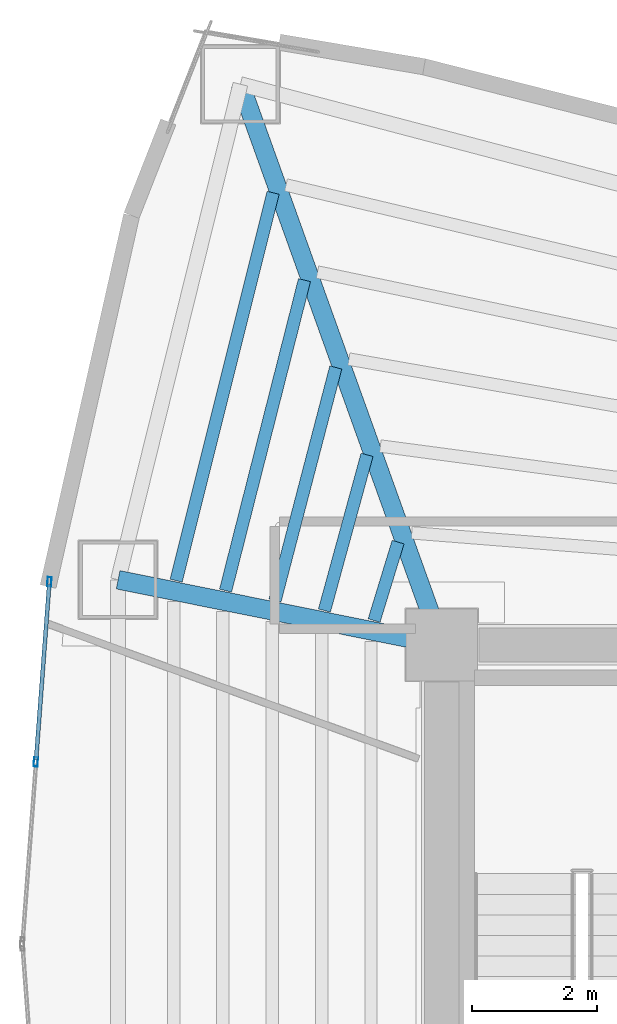
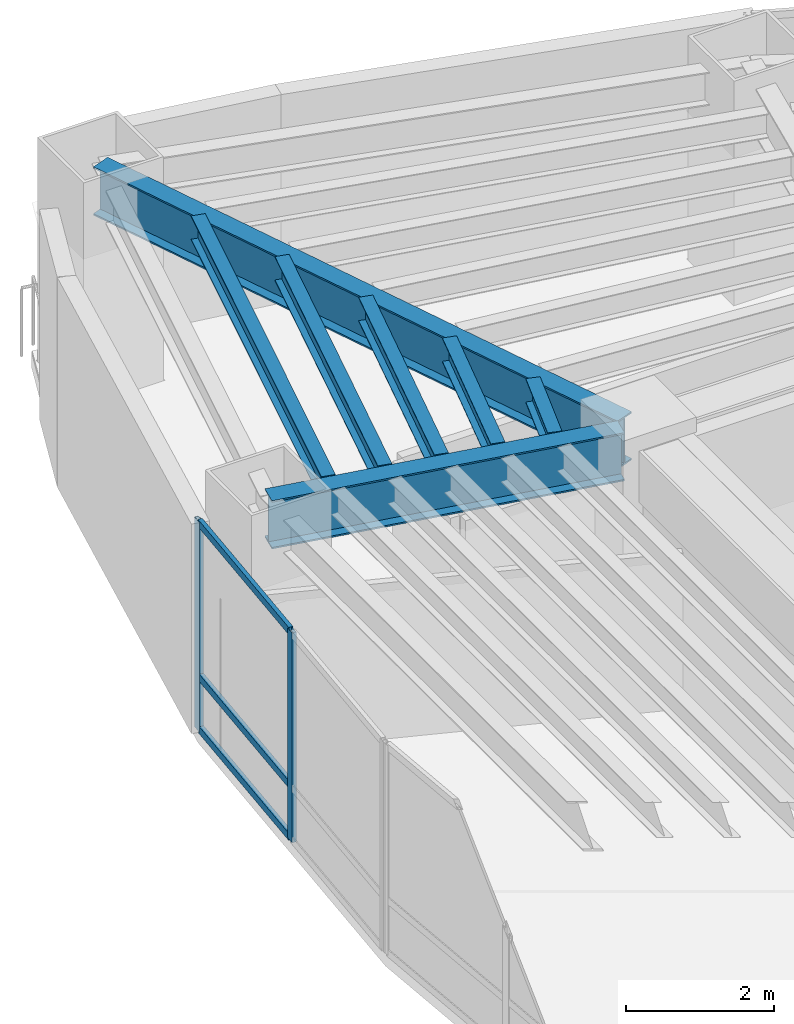
# One storey, part 7 of 19: 7 beams, 5 members, 1 element without a shape of its own.
"""IFC4 building model written with IfcOpenShell, lengths in metres."""

import ifcopenshell
import ifcopenshell.guid

model = None  # the IFC model being written
_history = None  # IfcOwnerHistory: only IFC2X3 demands one
_inside = {}  # id of a spatial element -> (the spatial element, [elements in it])
_under = {}  # id of a project, library or spatial element -> (it, [spatial elements below it])
_declared = {}  # id of a project -> (the project, [libraries it declares])
_typed = {}  # id of a type object -> (the type object, [elements of that type])
_made_of = {}  # id of a material, layer set ... -> (it, [elements and type objects made of it])


def new_model(schema):
    """Start an empty IFC model of exactly this schema.

    Asked for "IFC4X3", IfcOpenShell would pick the latest addendum, in which some entities
    have other attributes; the version numbers below select the first issue.
    IFC2X3 requires an IfcOwnerHistory on every rooted entity: one is made here for all.
    """
    global model, _history
    if schema == "IFC4X3":
        model = ifcopenshell.file(schema_version=(4, 3, 0, 0))
    else:
        model = ifcopenshell.file(schema=schema)
    _inside.clear()
    _under.clear()
    _declared.clear()
    _typed.clear()
    _made_of.clear()
    _history = None
    if model.schema == "IFC2X3":
        org = make("IfcOrganization", Name="unknown")
        user = make(
            "IfcPersonAndOrganization",
            ThePerson=make("IfcPerson", FamilyName="unknown"),
            TheOrganization=org,
        )
        app = make(
            "IfcApplication",
            ApplicationDeveloper=org,
            Version="unknown",
            ApplicationFullName="unknown",
            ApplicationIdentifier="unknown",
        )
        _history = make(
            "IfcOwnerHistory",
            OwningUser=user,
            OwningApplication=app,
            ChangeAction="ADDED",
            CreationDate=0,
        )
    return model


def make(cls, **values):
    """One entity of the class cls with the attributes given. An attribute that is None is left unset."""
    return model.create_entity(
        cls, **{name: value for name, value in values.items() if value is not None}
    )


def rooted(cls, **values):
    """An entity with a GlobalId (a new one), such as an element, a storey or a relation."""
    return make(cls, GlobalId=ifcopenshell.guid.new(), OwnerHistory=_history, **values)


def si_unit(unit_type, name, prefix=None):
    """IfcSIUnit, for example si_unit("LENGTHUNIT", "METRE", prefix="MILLI")."""
    return make("IfcSIUnit", UnitType=unit_type, Prefix=prefix, Name=name)


def assignment(units):
    """IfcUnitAssignment: the units of a project."""
    return None if units is None else make("IfcUnitAssignment", Units=units)


def point(xyz):
    """IfcCartesianPoint."""
    return None if xyz is None else make("IfcCartesianPoint", Coordinates=xyz)


def direction(xyz):
    """IfcDirection."""
    return None if xyz is None else make("IfcDirection", DirectionRatios=xyz)


def frame(location, z_axis=None, x_axis=None):
    """IfcAxis2Placement3D, a coordinate frame: its origin and axes. An axis left out is left unset."""
    return make(
        "IfcAxis2Placement3D",
        Location=point(location),
        Axis=direction(z_axis),
        RefDirection=direction(x_axis),
    )


def frame_2d(location, x_axis=None):
    """IfcAxis2Placement2D, a coordinate frame in the plane: its origin and x axis."""
    return make(
        "IfcAxis2Placement2D", Location=point(location), RefDirection=direction(x_axis)
    )


def origin():
    """The frame at (0, 0, 0) with its axes left unset."""
    return frame((0.0, 0.0, 0.0))


def origin_2d():
    """The frame at (0, 0) in the plane with its x axis left unset."""
    return frame_2d((0.0, 0.0))


def place(relative_to, where):
    """IfcLocalPlacement: puts the frame where relative to a parent placement (None: the world)."""
    return make(
        "IfcLocalPlacement", PlacementRelTo=relative_to, RelativePlacement=where
    )


def context(
    kind, dimensions, precision=None, world=None, true_north=None, identifier=None
):
    """IfcGeometricRepresentationContext, for example the 3D "Model" context."""
    return make(
        "IfcGeometricRepresentationContext",
        ContextIdentifier=identifier,
        ContextType=kind,
        CoordinateSpaceDimension=dimensions,
        Precision=precision,
        WorldCoordinateSystem=world,
        TrueNorth=true_north,
    )


def subcontext(parent, identifier, kind, view, scale=None):
    """IfcGeometricRepresentationSubContext, for example "Body" below "Model"."""
    return make(
        "IfcGeometricRepresentationSubContext",
        ContextIdentifier=identifier,
        ContextType=kind,
        ParentContext=parent,
        TargetScale=scale,
        TargetView=view,
    )


def project(units=None, contexts=None):
    """IfcProject with its units and contexts."""
    return rooted(
        "IfcProject",
        Name="project",
        RepresentationContexts=contexts,
        UnitsInContext=assignment(units),
    )


def spatial(cls, under=None, at=None, **own):
    """A site, building, storey or space (cls), placed at a placement, below another one or the project."""
    s = rooted(cls, ObjectPlacement=at, **own)
    if under is not None:
        _under.setdefault(under.id(), (under, []))[1].append(s)
    return s


def profile(cls, at=None, kind="AREA", **sizes):
    """A parametric profile (cls). Its sizes go by their IFC names, for example OverallWidth=200.0."""
    return make(cls, ProfileType=kind, Position=at, **sizes)


def hollow_rectangle(**sizes):
    """IfcRectangleHollowProfileDef."""
    return profile("IfcRectangleHollowProfileDef", **sizes)


def i_section(**sizes):
    """IfcIShapeProfileDef."""
    return profile("IfcIShapeProfileDef", **sizes)


def extrude(swept, where, along, depth):
    """IfcExtrudedAreaSolid: the profile swept, set in the frame where, extruded along a direction by depth."""
    return make(
        "IfcExtrudedAreaSolid",
        SweptArea=swept,
        Position=where,
        ExtrudedDirection=direction(along),
        Depth=depth,
    )


def shape(context_of_items, identifier, shape_type, items):
    """IfcShapeRepresentation: the items that make up one representation, for example the "Body"."""
    return make(
        "IfcShapeRepresentation",
        ContextOfItems=context_of_items,
        RepresentationIdentifier=identifier,
        RepresentationType=shape_type,
        Items=items,
    )


def material(Name=None, Category=None):
    """IfcMaterial."""
    return make("IfcMaterial", Name=Name, Category=Category)


def layer(
    of_material, thickness, ventilated=None, Name=None, Category=None, Priority=None
):
    """IfcMaterialLayer: one layer of a wall or slab, of a material (None: an air gap)."""
    return make(
        "IfcMaterialLayer",
        Material=of_material,
        LayerThickness=thickness,
        IsVentilated=ventilated,
        Name=Name,
        Category=Category,
        Priority=Priority,
    )


def layer_set(layers, Name=None):
    """IfcMaterialLayerSet."""
    return make("IfcMaterialLayerSet", MaterialLayers=layers, LayerSetName=Name)


def material_profile(
    of_material, cross_section, Name=None, Category=None, Priority=None
):
    """IfcMaterialProfile: a cross section and its material."""
    return make(
        "IfcMaterialProfile",
        Name=Name,
        Material=of_material,
        Profile=cross_section,
        Priority=Priority,
        Category=Category,
    )


def profile_set(profiles, Name=None, composite=None):
    """IfcMaterialProfileSet."""
    return make(
        "IfcMaterialProfileSet",
        Name=Name,
        MaterialProfiles=profiles,
        CompositeProfile=composite,
    )


def made_of(thing, what):
    """Note that an element or type object is made of a material, layer set ...; save() writes the relation."""
    if what is not None:
        _made_of.setdefault(what.id(), (what, []))[1].append(thing)
    return thing


def type_object(cls, material=None, **own):
    """A type object (cls), such as IfcWallType, which elements share."""
    return made_of(rooted(cls, **own), material)


def element(
    cls,
    number,
    at=None,
    inside=None,
    cuts=None,
    type_object=None,
    material=None,
    context=None,
    identifier="Body",
    shape_type=None,
    held_by="IfcProductDefinitionShape",
    body=None,
    shapes=None,
    **own,
):
    """One element of the class cls, such as IfcWall. Its Tag is "e" and its number.

    at: its placement. inside: the storey or other place that contains it. cuts: it is an
    opening in that element (IfcRelVoidsElement). A single representation is given by context,
    identifier, shape_type and body (its items); several are given by shapes. held_by: the class
    of the entity that holds the representations. save() writes the other relations.
    """
    e = rooted(cls, Tag="e%d" % number, ObjectPlacement=at, **own)
    if body is not None:
        shapes = [shape(context, identifier, shape_type, body)]
    if shapes is not None:
        e.Representation = make(held_by, Representations=shapes)
    if inside is not None:
        _inside.setdefault(inside.id(), (inside, []))[1].append(e)
    if cuts is not None:
        rooted(
            "IfcRelVoidsElement", RelatingBuildingElement=cuts, RelatedOpeningElement=e
        )
    if type_object is not None:
        _typed.setdefault(type_object.id(), (type_object, []))[1].append(e)
    return made_of(e, material)


def aggregate(whole, parts):
    """IfcRelAggregates: a whole, such as a stair, and the parts it consists of."""
    return rooted("IfcRelAggregates", RelatingObject=whole, RelatedObjects=parts)


def save(model, path):
    """Write the relations noted so far, then the file.

    IfcRelAggregates (storeys below a building ...), IfcRelContainedInSpatialStructure (elements
    in a storey), IfcRelDefinesByType, IfcRelAssociatesMaterial and IfcRelDeclares: one each for
    every whole, place, type object, material and project.
    """
    for whole, parts in _under.values():
        aggregate(whole, parts)
    for where, things in _inside.values():
        rooted(
            "IfcRelContainedInSpatialStructure",
            RelatedElements=things,
            RelatingStructure=where,
        )
    for kind, things in _typed.values():
        rooted("IfcRelDefinesByType", RelatedObjects=things, RelatingType=kind)
    for what, things in _made_of.values():
        rooted("IfcRelAssociatesMaterial", RelatedObjects=things, RelatingMaterial=what)
    for by, libraries in _declared.values():
        rooted("IfcRelDeclares", RelatingContext=by, RelatedDefinitions=libraries)
    model.write(path)


model = new_model("IFC4")

# Units and contexts
model_context = context("Model", 3, precision=1e-05, world=origin(), true_north=direction((0.0, 1.0)))
body_context = subcontext(model_context, "Body", "Model", "MODEL_VIEW")
ifc_project = project(units=[si_unit("LENGTHUNIT", "METRE"), si_unit("AREAUNIT", "SQUARE_METRE"), si_unit("VOLUMEUNIT", "CUBIC_METRE"), si_unit("PLANEANGLEUNIT", "RADIAN"), si_unit("MASSUNIT", "GRAM", prefix="KILO")], contexts=[model_context])

# Site, building, storey
site_placement = place(None, origin())
site = spatial("IfcSite", under=ifc_project, at=site_placement, CompositionType="ELEMENT")
building_placement = place(site_placement, origin())
building = spatial("IfcBuilding", under=site, at=building_placement, Name="Menara Vayukalpa", CompositionType="ELEMENT")
storey_placement = place(building_placement, frame((0.0, 0.0, 122.580078125)))
storey = spatial("IfcBuildingStorey", under=building, at=storey_placement, Name="L30", CompositionType="ELEMENT", Elevation=122.580078125)

# Beams
ifc_material_1 = material(Name="Steel S355", Category="steel")
ifc_material_profile_1 = material_profile(ifc_material_1, i_section(OverallWidth=0.300048828125, OverallDepth=0.800048828125, WebThickness=0.013916015625, FlangeThickness=0.02587890625, at=origin_2d()), Name="WF 800x300x14x26")
ifc_profile_set_1 = profile_set([ifc_material_profile_1], Name="Steel S355")
beam_type_1 = type_object("IfcBeamType", Name="BM-PG3", PredefinedType="BEAM", material=ifc_profile_set_1)
beam_1_placement = place(storey_placement, frame((17.715576171875, 27.035400390625, 3.06982421875), z_axis=(-0.337975542909, 0.941154892882, 0.0), x_axis=(-0.941154892882, -0.337975542909, 0.0)))
element("IfcBeam", 1, at=beam_1_placement, inside=storey, type_object=beam_type_1, Name="L30 Primary Radial Girder RG04", PredefinedType="BEAM", context=body_context, shape_type="SweptSolid", body=[
    extrude(i_section(OverallWidth=0.300048828125, OverallDepth=0.800048828125, WebThickness=0.013916015625, FlangeThickness=0.02587890625, at=origin_2d()), origin(), (0.0, 0.0, 1.0), 9.309814453125),
])
beam_2_placement = place(storey_placement, frame((17.554931640625, 26.849365234375, 3.06982421875), z_axis=(-0.980324984906, 0.197390283373, 0.0), x_axis=(-0.197390283373, -0.980324984906, 0.0)))
element("IfcBeam", 2, at=beam_2_placement, inside=storey, type_object=beam_type_1, Name="L30 Primary Radial Girder RG05", PredefinedType="BEAM", context=body_context, shape_type="SweptSolid", body=[
    extrude(i_section(OverallWidth=0.300048828125, OverallDepth=0.800048828125, WebThickness=0.013916015625, FlangeThickness=0.02587890625, at=origin_2d()), origin(), (0.0, 0.0, 1.0), 5.047607421875),
])
ifc_material_2 = material(Name="Steel S355", Category="steel")
ifc_material_profile_2 = material_profile(ifc_material_2, i_section(OverallWidth=0.199951171875, OverallDepth=0.39990234375, WebThickness=0.008056640625, FlangeThickness=0.012939453125, at=origin_2d()), Name="WF 400x200x8x13")
ifc_profile_set_2 = profile_set([ifc_material_profile_2], Name="Steel S355")
beam_type_2 = type_object("IfcBeamType", Name="BM-SJ2", PredefinedType="JOIST", material=ifc_profile_set_2)
beam_3_placement = place(storey_placement, frame((17.099365234375, 28.449951171875, 3.27001953125), z_axis=(-0.292651981473, -0.956219021846, 0.0), x_axis=(0.956219021846, -0.292651981473, 0.0)))
element("IfcBeam", 3, at=beam_3_placement, inside=storey, type_object=beam_type_2, Name="L30 Secondary Floor Joist SJ04-1", PredefinedType="JOIST", context=body_context, shape_type="SweptSolid", body=[
    extrude(i_section(OverallWidth=0.199951171875, OverallDepth=0.39990234375, WebThickness=0.008056640625, FlangeThickness=0.012939453125, at=origin_2d()), origin(), (0.0, 0.0, 1.0), 1.31640625),
])
beam_4_placement = place(storey_placement, frame((16.600830078125, 29.850341796875, 3.27001953125), z_axis=(-0.263922858843, -0.964543790908, 0.0), x_axis=(0.964543790908, -0.263922858843, 0.0)))
element("IfcBeam", 4, at=beam_4_placement, inside=storey, type_object=beam_type_2, Name="L30 Secondary Floor Joist SJ04-2", PredefinedType="JOIST", context=body_context, shape_type="SweptSolid", body=[
    extrude(i_section(OverallWidth=0.199951171875, OverallDepth=0.39990234375, WebThickness=0.008056640625, FlangeThickness=0.012939453125, at=origin_2d()), origin(), (0.0, 0.0, 1.0), 2.590087890625),
])
beam_5_placement = place(storey_placement, frame((16.099365234375, 31.251953125, 3.27001953125), z_axis=(-0.252406469257, -0.967621296933, 0.0), x_axis=(0.967621296933, -0.252406469257, 0.0)))
element("IfcBeam", 5, at=beam_5_placement, inside=storey, type_object=beam_type_2, Name="L30 Secondary Floor Joist SJ04-3", PredefinedType="JOIST", context=body_context, shape_type="SweptSolid", body=[
    extrude(i_section(OverallWidth=0.199951171875, OverallDepth=0.39990234375, WebThickness=0.008056640625, FlangeThickness=0.012939453125, at=origin_2d()), origin(), (0.0, 0.0, 1.0), 3.865234375),
])
beam_6_placement = place(storey_placement, frame((15.596923828125, 32.653564453125, 3.27001953125), z_axis=(-0.246311066692, -0.969190826631, 0.0), x_axis=(0.969190826631, -0.246311066692, 0.0)))
element("IfcBeam", 6, at=beam_6_placement, inside=storey, type_object=beam_type_2, Name="L30 Secondary Floor Joist SJ04-4", PredefinedType="JOIST", context=body_context, shape_type="SweptSolid", body=[
    extrude(i_section(OverallWidth=0.199951171875, OverallDepth=0.39990234375, WebThickness=0.008056640625, FlangeThickness=0.012939453125, at=origin_2d()), origin(), (0.0, 0.0, 1.0), 5.140380859375),
])
beam_7_placement = place(storey_placement, frame((15.09423828125, 34.055419921875, 3.27001953125), z_axis=(-0.242481900969, -0.970155929582, 0.0), x_axis=(0.970155929582, -0.242481900969, 0.0)))
element("IfcBeam", 7, at=beam_7_placement, inside=storey, type_object=beam_type_2, Name="L30 Secondary Floor Joist SJ04-5", PredefinedType="JOIST", context=body_context, shape_type="SweptSolid", body=[
    extrude(i_section(OverallWidth=0.199951171875, OverallDepth=0.39990234375, WebThickness=0.008056640625, FlangeThickness=0.012939453125, at=origin_2d()), origin(), (0.0, 0.0, 1.0), 6.41552734375),
])

# Curtain wall, members
ifc_material_3 = material(Name="Anodised Terracotta Aluminium Alloy 6063-T6", Category="masonry")
ifc_layer = layer(ifc_material_3, 0.14990234375)
ifc_layer_set = layer_set([ifc_layer], Name="Anodised Terracotta Aluminium Alloy 6063-T6")
curtain_wall_type = type_object("IfcCurtainWallType", Name="CW-CW3", PredefinedType="USERDEFINED", material=ifc_layer_set)
curtain_wall_placement = place(storey_placement, origin())
curtain_wall = element("IfcCurtainWall", 8, at=curtain_wall_placement, inside=storey, type_object=curtain_wall_type, Name="L30 Mid Rise Terracotta Ribbon Curtain Wall CW3 10", ObjectType="UNITISED", PredefinedType="USERDEFINED")
ifc_material_4 = material(Name="Anodised Terracotta Aluminium Alloy 6063-T6", Category="masonry")
ifc_material_profile_3 = material_profile(ifc_material_4, hollow_rectangle(XDim=0.06494140625, YDim=0.14990234375, WallThickness=0.00341796875, at=origin_2d()), Name="ALU 65x150x3.5")
ifc_profile_set_3 = profile_set([ifc_material_profile_3], Name="Anodised Terracotta Aluminium Alloy 6063-T6")
member_type_1 = type_object("IfcMemberType", Name="CWM-CW3", PredefinedType="MULLION", material=ifc_profile_set_3)
member_1_placement = place(storey_placement, frame((11.504150390625, 27.813232421875, 0.0), z_axis=(0.0, 0.0, 1.0), x_axis=(0.997199659745, -0.07478528334, 0.0)))
member_1 = element("IfcMember", 9, at=member_1_placement, type_object=member_type_1, Name="CW3 mullion 1", PredefinedType="MULLION", context=body_context, shape_type="SweptSolid", body=[
    extrude(hollow_rectangle(XDim=0.06494140625, YDim=0.14990234375, WallThickness=0.00341796875, at=origin_2d()), origin(), (0.0, 0.0, 1.0), 3.469970703125),
])
member_2_placement = place(storey_placement, frame((11.287353515625, 24.9228515625, 0.0), z_axis=(0.0, 0.0, 1.0), x_axis=(0.997199659745, -0.07478528334, 0.0)))
member_2 = element("IfcMember", 10, at=member_2_placement, type_object=member_type_1, Name="CW3 mullion 2", PredefinedType="MULLION", context=body_context, shape_type="SweptSolid", body=[
    extrude(hollow_rectangle(XDim=0.06494140625, YDim=0.14990234375, WallThickness=0.00341796875, at=origin_2d()), origin(), (0.0, 0.0, 1.0), 3.469970703125),
])
ifc_material_5 = material(Name="Anodised Terracotta Aluminium Alloy 6063-T6", Category="masonry")
ifc_material_profile_4 = material_profile(ifc_material_5, hollow_rectangle(XDim=0.06494140625, YDim=0.1201171875, WallThickness=0.00341796875, at=origin_2d()), Name="ALU 65x120x3.5")
ifc_profile_set_4 = profile_set([ifc_material_profile_4], Name="Anodised Terracotta Aluminium Alloy 6063-T6")
member_type_2 = type_object("IfcMemberType", Name="CWT-CW3", PredefinedType="USERDEFINED", material=ifc_profile_set_4)
member_3_placement = place(storey_placement, frame((11.501708984375, 27.78076171875, 0.032470703125), z_axis=(-0.074792090342, -0.997199149229, 0.0), x_axis=(0.997199149229, -0.074792090342, 0.0)))
member_3 = element("IfcMember", 11, at=member_3_placement, type_object=member_type_2, Name="CW3 transom 1.1", ObjectType="TRANSOM", PredefinedType="USERDEFINED", context=body_context, shape_type="SweptSolid", body=[
    extrude(hollow_rectangle(XDim=0.06494140625, YDim=0.1201171875, WallThickness=0.00341796875, at=origin_2d()), origin(), (0.0, 0.0, 1.0), 2.83349609375),
])
member_4_placement = place(storey_placement, frame((11.501708984375, 27.78076171875, 0.89990234375), z_axis=(-0.074792090342, -0.997199149229, 0.0), x_axis=(0.997199149229, -0.074792090342, 0.0)))
member_4 = element("IfcMember", 12, at=member_4_placement, type_object=member_type_2, Name="CW3 transom 1.2", ObjectType="TRANSOM", PredefinedType="USERDEFINED", context=body_context, shape_type="SweptSolid", body=[
    extrude(hollow_rectangle(XDim=0.06494140625, YDim=0.1201171875, WallThickness=0.00341796875, at=origin_2d()), origin(), (0.0, 0.0, 1.0), 2.83349609375),
])
member_5_placement = place(storey_placement, frame((11.501708984375, 27.78076171875, 3.4375), z_axis=(-0.074792090342, -0.997199149229, 0.0), x_axis=(0.997199149229, -0.074792090342, 0.0)))
member_5 = element("IfcMember", 13, at=member_5_placement, type_object=member_type_2, Name="CW3 transom 1.3", ObjectType="TRANSOM", PredefinedType="USERDEFINED", context=body_context, shape_type="SweptSolid", body=[
    extrude(hollow_rectangle(XDim=0.06494140625, YDim=0.1201171875, WallThickness=0.00341796875, at=origin_2d()), origin(), (0.0, 0.0, 1.0), 2.83349609375),
])
aggregate(curtain_wall, [member_1, member_2, member_3, member_4, member_5])

save(model, "model.ifc")
